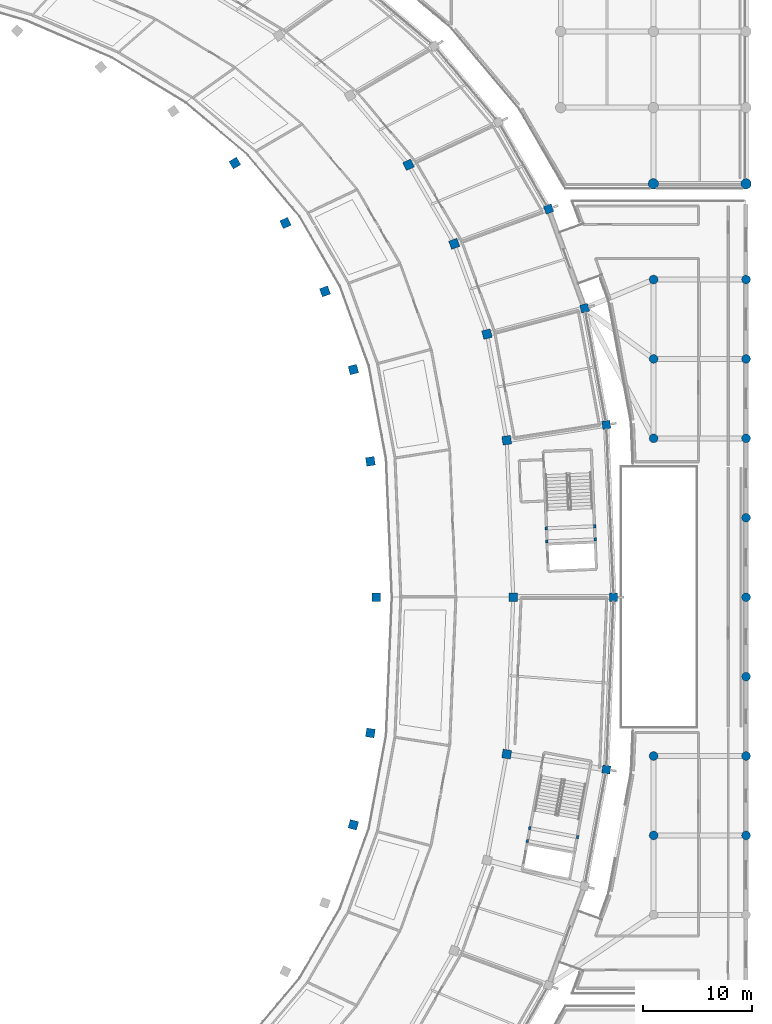
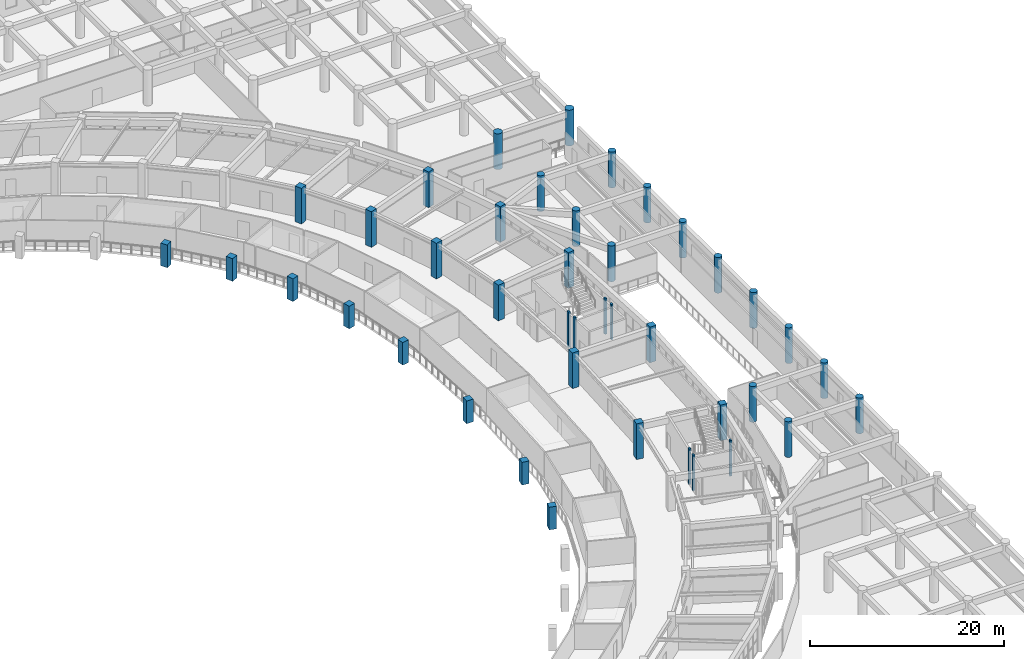
# One storey, part 6 of 141: 41 columns.
"""IFC4 building model written with IfcOpenShell, lengths in metres."""

from ifc_helpers import new_model, si_unit, direction, frame, origin, origin_2d, place, context, subcontext, project, spatial, rectangle, circle, extrude, material, material_profile, profile_set, type_object, element, save


model = new_model("IFC4")

# Units and contexts
model_context = context("Model", 3, precision=1e-05, world=origin(), true_north=direction((0.0, 1.0)))
body_context = subcontext(model_context, "Body", "Model", "MODEL_VIEW")
ifc_project = project(units=[si_unit("LENGTHUNIT", "METRE"), si_unit("AREAUNIT", "SQUARE_METRE"), si_unit("VOLUMEUNIT", "CUBIC_METRE"), si_unit("PLANEANGLEUNIT", "RADIAN"), si_unit("MASSUNIT", "GRAM", prefix="KILO")], contexts=[model_context])

# Site, building, storey
site_placement = place(None, origin())
site = spatial("IfcSite", under=ifc_project, at=site_placement, CompositionType="ELEMENT")
building_placement = place(site_placement, origin())
building = spatial("IfcBuilding", under=site, at=building_placement, Name="Mphavela Belvedere Stadium", CompositionType="ELEMENT")
storey_placement = place(building_placement, frame((0.0, 0.0, 14.699951171875)))
storey = spatial("IfcBuildingStorey", under=building, at=storey_placement, Name="L03", CompositionType="ELEMENT", Elevation=14.699951171875)

# Columns
ifc_material_1 = material(Name="Concrete C40/50", Category="concrete")
ifc_material_profile_1 = material_profile(ifc_material_1, rectangle(XDim=0.300048828125, YDim=0.219970703125, at=origin_2d()), Name="RC 300x220")
ifc_profile_set_1 = profile_set([ifc_material_profile_1], Name="Concrete C40/50")
column_type_1 = type_object("IfcColumnType", Name="COL-CORE-POST-300", PredefinedType="COLUMN", material=ifc_profile_set_1)
for number, where, z_axis, x_axis, name in (
    (1, (211.632080078125, 93.325439453125, 0.0), (0.0, 0.0, 1.0), (0.041875653729, -0.999122830099, 0.0), "Core C01 stair frame column L03-1"),
    (2, (211.682373046875, 92.12646484375, 0.0), (0.0, 0.0, 1.0), (0.041875653729, -0.999122830099, 0.0), "Core C01 stair frame column L03-2"),
    (3, (216.1484375, 92.313720703125, 0.0), (0.0, 0.0, 1.0), (0.041875653729, -0.999122830099, 0.0), "Core C01 stair frame column L03-3"),
    (4, (216.09814453125, 93.5126953125, 0.0), (0.0, 0.0, 1.0), (0.041875653729, -0.999122830099, 0.0), "Core C01 stair frame column L03-4"),
    (5, (210.11376953125, 65.7646484375, 0.0), (0.0, 0.0, 1.0), (-0.182578735093, -0.983191235463, 0.0), "Core C12 stair frame column L03-1"),
    (6, (209.894775390625, 64.584716796875, 0.0), (0.0, 0.0, 1.0), (-0.182578735093, -0.983191235463, 0.0), "Core C12 stair frame column L03-2"),
    (7, (214.508544921875, 64.948486328125, 0.0), (0.0, 0.0, 1.0), (-0.182578735093, -0.983191235463, 0.0), "Core C12 stair frame column L03-4"),
):
    element("IfcColumn", number, at=place(storey_placement, frame(where, z_axis=z_axis, x_axis=x_axis)), inside=storey, type_object=column_type_1, Name=name, PredefinedType="COLUMN", context=body_context, shape_type="SweptSolid", body=[
        extrude(rectangle(XDim=0.300048828125, YDim=0.219970703125, at=origin_2d()), origin(), (0.0, 0.0, 1.0), 4.5),
    ])
ifc_material_2 = material(Name="Concrete C40/50", Category="concrete")
ifc_material_profile_2 = material_profile(ifc_material_2, circle(Radius=0.47509765625, at=origin_2d()), Name="COL D950")
ifc_profile_set_2 = profile_set([ifc_material_profile_2], Name="Concrete C40/50")
column_type_2 = type_object("IfcColumnType", Name="COL-DORIC-950", PredefinedType="COLUMN", material=ifc_profile_set_2)
for number, where, z_axis, x_axis, name in (
    (8, (221.48095703125, 125.0, 0.0), (0.0, 0.0, 1.0), (1.0, 0.0, 0.0), "North Mast and Ceremonial End Forecourt classical column L03 27-1"),
    (9, (230.0, 125.0, 0.0), (0.0, 0.0, 1.0), (1.0, 0.0, 0.0), "North Mast and Ceremonial End Forecourt classical column L03 28-1"),
):
    element("IfcColumn", number, at=place(storey_placement, frame(where, z_axis=z_axis, x_axis=x_axis)), inside=storey, type_object=column_type_2, Name=name, PredefinedType="COLUMN", context=body_context, shape_type="SweptSolid", body=[
        extrude(circle(Radius=0.47509765625, at=origin_2d()), origin(), (0.0, 0.0, 1.0), 4.5),
    ])
ifc_material_3 = material(Name="Concrete C40/50", Category="concrete")
ifc_material_profile_3 = material_profile(ifc_material_3, circle(Radius=0.39990234375, at=origin_2d()), Name="COL D800")
ifc_profile_set_3 = profile_set([ifc_material_profile_3], Name="Concrete C40/50")
column_type_3 = type_object("IfcColumnType", Name="COL-PERISTYLE-800", PredefinedType="COLUMN", material=ifc_profile_set_3)
for number, where, z_axis, x_axis, name in (
    (10, (221.5, 65.10009765625, 0.0), (0.0, 0.0, 1.0), (1.0, 0.0, 0.0), "East Planted Eaves Peristyle Colonnade classical column L03 8-3"),
    (11, (221.5, 72.39990234375, 0.0), (0.0, 0.0, 1.0), (1.0, 0.0, 0.0), "East Planted Eaves Peristyle Colonnade classical column L03 8-4"),
    (12, (221.5, 101.60009765625, 0.0), (0.0, 0.0, 1.0), (1.0, 0.0, 0.0), "East Planted Eaves Peristyle Colonnade classical column L03 8-8"),
    (13, (221.5, 108.89990234375, 0.0), (0.0, 0.0, 1.0), (1.0, 0.0, 0.0), "East Planted Eaves Peristyle Colonnade classical column L03 8-9"),
    (14, (221.5, 116.199951171875, 0.0), (0.0, 0.0, 1.0), (1.0, 0.0, 0.0), "East Planted Eaves Peristyle Colonnade classical column L03 8-10"),
    (15, (230.0, 65.10009765625, 0.0), (0.0, 0.0, 1.0), (1.0, 0.0, 0.0), "East Planted Eaves Peristyle Colonnade classical column L03 9-3"),
    (16, (230.0, 72.39990234375, 0.0), (0.0, 0.0, 1.0), (1.0, 0.0, 0.0), "East Planted Eaves Peristyle Colonnade classical column L03 9-4"),
    (17, (230.0, 79.699951171875, 0.0), (0.0, 0.0, 1.0), (1.0, 0.0, 0.0), "East Planted Eaves Peristyle Colonnade classical column L03 9-5"),
    (18, (230.0, 87.0, 0.0), (0.0, 0.0, 1.0), (1.0, 0.0, 0.0), "East Planted Eaves Peristyle Colonnade classical column L03 9-6"),
    (19, (230.0, 94.300048828125, 0.0), (0.0, 0.0, 1.0), (1.0, 0.0, 0.0), "East Planted Eaves Peristyle Colonnade classical column L03 9-7"),
    (20, (230.0, 101.60009765625, 0.0), (0.0, 0.0, 1.0), (1.0, 0.0, 0.0), "East Planted Eaves Peristyle Colonnade classical column L03 9-8"),
    (21, (230.0, 108.89990234375, 0.0), (0.0, 0.0, 1.0), (1.0, 0.0, 0.0), "East Planted Eaves Peristyle Colonnade classical column L03 9-9"),
    (22, (230.0, 116.199951171875, 0.0), (0.0, 0.0, 1.0), (1.0, 0.0, 0.0), "East Planted Eaves Peristyle Colonnade classical column L03 9-10"),
):
    element("IfcColumn", number, at=place(storey_placement, frame(where, z_axis=z_axis, x_axis=x_axis)), inside=storey, type_object=column_type_3, Name=name, PredefinedType="COLUMN", context=body_context, shape_type="SweptSolid", body=[
        extrude(circle(Radius=0.39990234375, at=origin_2d()), origin(), (0.0, 0.0, 1.0), 4.5),
    ])
ifc_material_4 = material(Name="Concrete C40/50", Category="concrete")
ifc_material_profile_4 = material_profile(ifc_material_4, rectangle(XDim=0.75, YDim=0.75, at=origin_2d()), Name="RC 750x750")
ifc_profile_set_4 = profile_set([ifc_material_profile_4], Name="Concrete C40/50")
column_type_4 = type_object("IfcColumnType", Name="COL-RC750", PredefinedType="COLUMN", material=ifc_profile_set_4)
for number, where, z_axis, x_axis, name in (
    (23, (217.820068359375, 87.0, 0.0), (0.0, 0.0, 1.0), (1.0, 0.0, 0.0), "Outer colonnade column L03 R4-01"),
    (24, (217.155517578125, 102.844970703125, 0.0), (0.0, 0.0, 1.0), (0.98817491911, 0.153330783737, 0.0), "Outer colonnade column L03 R4-02"),
    (25, (215.16455078125, 113.5625, 0.0), (0.0, 0.0, 1.0), (0.966600102017, 0.256289373133, 0.0), "Outer colonnade column L03 R4-03"),
    (26, (211.856201171875, 122.682373046875, 0.0), (0.0, 0.0, 1.0), (0.938372433776, 0.34562577382, 0.0), "Outer colonnade column L03 R4-04"),
    (27, (217.155517578125, 71.155029296875, 0.0), (0.0, 0.0, 1.0), (0.98817491911, -0.153330783737, 0.0), "Outer colonnade column L03 R4-48"),
):
    element("IfcColumn", number, at=place(storey_placement, frame(where, z_axis=z_axis, x_axis=x_axis)), inside=storey, type_object=column_type_4, Name=name, PredefinedType="COLUMN", context=body_context, shape_type="SweptSolid", body=[
        extrude(rectangle(XDim=0.75, YDim=0.75, at=origin_2d()), origin(), (0.0, 0.0, 1.0), 4.5),
    ])
ifc_material_5 = material(Name="Concrete C40/50", Category="concrete")
ifc_material_profile_5 = material_profile(ifc_material_5, rectangle(XDim=0.800048828125, YDim=0.800048828125, at=origin_2d()), Name="RC 800x800")
ifc_profile_set_5 = profile_set([ifc_material_profile_5], Name="Concrete C40/50")
column_type_5 = type_object("IfcColumnType", Name="COL-RC800", PredefinedType="COLUMN", material=ifc_profile_set_5)
column_1_placement = place(storey_placement, frame((195.9951171875, 87.0, 0.0), z_axis=(0.0, 0.0, 1.0), x_axis=(1.0, 0.0, 0.0)))
element("IfcColumn", 28, at=column_1_placement, inside=storey, type_object=column_type_5, Name="Upper raker support column L03 R2-01", PredefinedType="COLUMN", context=body_context, shape_type="SweptSolid", body=[
    extrude(rectangle(XDim=0.800048828125, YDim=0.800048828125, at=origin_2d()), origin(), (0.0, 0.0, 1.0), 2.85009765625),
])
column_2_placement = place(storey_placement, frame((208.60498046875, 87.0, 0.0), z_axis=(0.0, 0.0, 1.0), x_axis=(1.0, 0.0, 0.0)))
element("IfcColumn", 29, at=column_2_placement, inside=storey, type_object=column_type_5, Name="Main bowl column L03 R3-01", PredefinedType="COLUMN", context=body_context, shape_type="SweptSolid", body=[
    extrude(rectangle(XDim=0.800048828125, YDim=0.800048828125, at=origin_2d()), origin(), (0.0, 0.0, 1.0), 4.5),
])
column_3_placement = place(storey_placement, frame((195.471435546875, 99.481689453125, 0.0), z_axis=(0.0, 0.0, 1.0), x_axis=(0.98817491911, 0.153330783737, 0.0)))
element("IfcColumn", 30, at=column_3_placement, inside=storey, type_object=column_type_5, Name="Upper raker support column L03 R2-02", PredefinedType="COLUMN", context=body_context, shape_type="SweptSolid", body=[
    extrude(rectangle(XDim=0.800048828125, YDim=0.800048828125, at=origin_2d()), origin(), (0.0, 0.0, 1.0), 2.85009765625),
])
column_4_placement = place(storey_placement, frame((208.0, 101.4248046875, 0.0), z_axis=(0.0, 0.0, 1.0), x_axis=(0.98817491911, 0.153330783737, 0.0)))
element("IfcColumn", 31, at=column_4_placement, inside=storey, type_object=column_type_5, Name="Main bowl column L03 R3-02", PredefinedType="COLUMN", context=body_context, shape_type="SweptSolid", body=[
    extrude(rectangle(XDim=0.800048828125, YDim=0.800048828125, at=origin_2d()), origin(), (0.0, 0.0, 1.0), 4.5),
])
column_5_placement = place(storey_placement, frame((193.9033203125, 107.92431640625, 0.0), z_axis=(0.0, 0.0, 1.0), x_axis=(0.966600102017, 0.256289373133, 0.0)))
element("IfcColumn", 32, at=column_5_placement, inside=storey, type_object=column_type_5, Name="Upper raker support column L03 R2-03", PredefinedType="COLUMN", context=body_context, shape_type="SweptSolid", body=[
    extrude(rectangle(XDim=0.800048828125, YDim=0.800048828125, at=origin_2d()), origin(), (0.0, 0.0, 1.0), 2.85009765625),
])
column_6_placement = place(storey_placement, frame((206.1875, 111.181884765625, 0.0), z_axis=(0.0, 0.0, 1.0), x_axis=(0.966600102017, 0.256289373133, 0.0)))
element("IfcColumn", 33, at=column_6_placement, inside=storey, type_object=column_type_5, Name="Main bowl column L03 R3-03", PredefinedType="COLUMN", context=body_context, shape_type="SweptSolid", body=[
    extrude(rectangle(XDim=0.800048828125, YDim=0.800048828125, at=origin_2d()), origin(), (0.0, 0.0, 1.0), 4.5),
])
column_7_placement = place(storey_placement, frame((191.297119140625, 115.108154296875, 0.0), z_axis=(0.0, 0.0, 1.0), x_axis=(0.938372433776, 0.34562577382, 0.0)))
element("IfcColumn", 34, at=column_7_placement, inside=storey, type_object=column_type_5, Name="Upper raker support column L03 R2-04", PredefinedType="COLUMN", context=body_context, shape_type="SweptSolid", body=[
    extrude(rectangle(XDim=0.800048828125, YDim=0.800048828125, at=origin_2d()), origin(), (0.0, 0.0, 1.0), 2.85009765625),
])
column_8_placement = place(storey_placement, frame((203.175537109375, 119.484375, 0.0), z_axis=(0.0, 0.0, 1.0), x_axis=(0.938372433776, 0.34562577382, 0.0)))
element("IfcColumn", 35, at=column_8_placement, inside=storey, type_object=column_type_5, Name="Main bowl column L03 R3-04", PredefinedType="COLUMN", context=body_context, shape_type="SweptSolid", body=[
    extrude(rectangle(XDim=0.800048828125, YDim=0.800048828125, at=origin_2d()), origin(), (0.0, 0.0, 1.0), 4.5),
])
column_9_placement = place(storey_placement, frame((187.66259765625, 121.393798828125, 0.0), z_axis=(0.0, 0.0, 1.0), x_axis=(0.903858661687, 0.4278311813, 0.0)))
element("IfcColumn", 36, at=column_9_placement, inside=storey, type_object=column_type_5, Name="Upper raker support column L03 R2-05", PredefinedType="COLUMN", context=body_context, shape_type="SweptSolid", body=[
    extrude(rectangle(XDim=0.800048828125, YDim=0.800048828125, at=origin_2d()), origin(), (0.0, 0.0, 1.0), 2.85009765625),
])
column_10_placement = place(storey_placement, frame((198.9755859375, 126.748291015625, 0.0), z_axis=(0.0, 0.0, 1.0), x_axis=(0.903858661687, 0.4278311813, 0.0)))
element("IfcColumn", 37, at=column_10_placement, inside=storey, type_object=column_type_5, Name="Main bowl column L03 R3-05", PredefinedType="COLUMN", context=body_context, shape_type="SweptSolid", body=[
    extrude(rectangle(XDim=0.800048828125, YDim=0.800048828125, at=origin_2d()), origin(), (0.0, 0.0, 1.0), 4.5),
])
for number, where, z_axis, x_axis, name in (
    (38, (183.01171875, 126.901611328125, 0.0), (0.0, 0.0, 1.0), (0.862513669207, 0.506033764121, 0.0), "Upper raker support column L03 R2-06"),
    (39, (193.9033203125, 66.07568359375, 0.0), (0.0, 0.0, 1.0), (0.966600102017, -0.256289373133, 0.0), "Upper raker support column L03 R2-47"),
    (40, (195.471435546875, 74.518310546875, 0.0), (0.0, 0.0, 1.0), (0.98817491911, -0.153330783737, 0.0), "Upper raker support column L03 R2-48"),
):
    element("IfcColumn", number, at=place(storey_placement, frame(where, z_axis=z_axis, x_axis=x_axis)), inside=storey, type_object=column_type_5, Name=name, PredefinedType="COLUMN", context=body_context, shape_type="SweptSolid", body=[
        extrude(rectangle(XDim=0.800048828125, YDim=0.800048828125, at=origin_2d()), origin(), (0.0, 0.0, 1.0), 2.85009765625),
    ])
column_11_placement = place(storey_placement, frame((208.0, 72.5751953125, 0.0), z_axis=(0.0, 0.0, 1.0), x_axis=(0.98817491911, -0.153330783737, 0.0)))
element("IfcColumn", 41, at=column_11_placement, inside=storey, type_object=column_type_5, Name="Main bowl column L03 R3-48", PredefinedType="COLUMN", context=body_context, shape_type="SweptSolid", body=[
    extrude(rectangle(XDim=0.800048828125, YDim=0.800048828125, at=origin_2d()), origin(), (0.0, 0.0, 1.0), 4.5),
])

save(model, "model.ifc")
